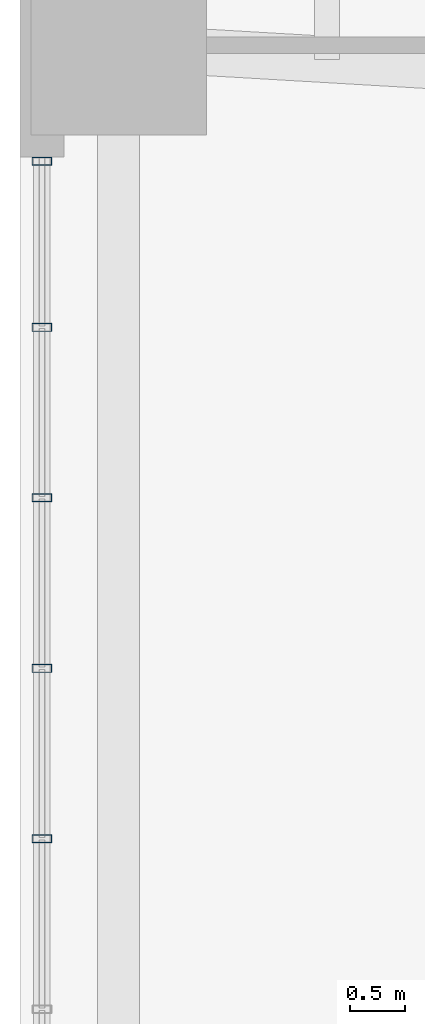
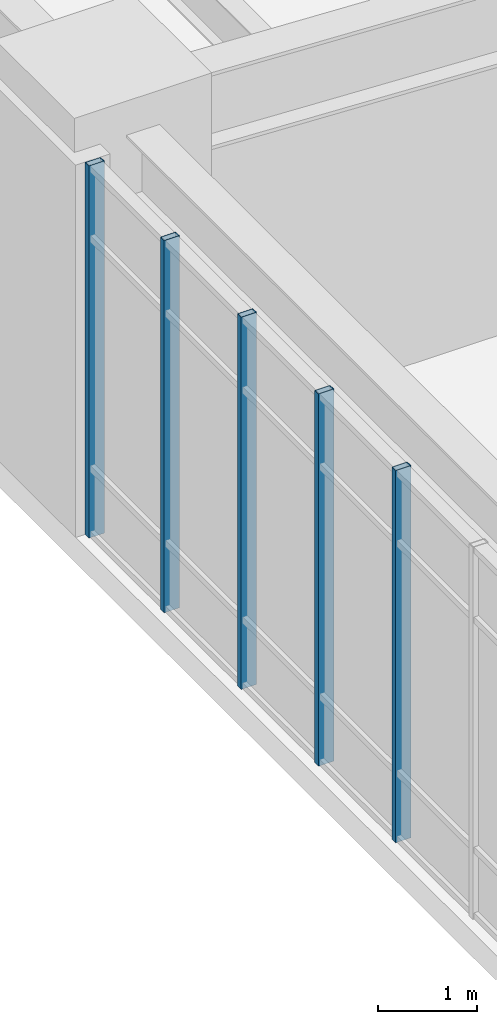
# One storey, part 6 of 18: 5 members, 1 element without a shape of its own.
"""IFC4 building model written with IfcOpenShell, lengths in metres."""

from ifc_helpers import new_model, si_unit, direction, frame, origin, origin_2d, place, context, subcontext, project, spatial, hollow_rectangle, extrude, material, layer, layer_set, material_profile, profile_set, type_object, element, aggregate, save


model = new_model("IFC4")

# Units and contexts
model_context = context("Model", 3, precision=1e-05, world=origin(), true_north=direction((0.0, 1.0)))
body_context = subcontext(model_context, "Body", "Model", "MODEL_VIEW")
ifc_project = project(units=[si_unit("LENGTHUNIT", "METRE"), si_unit("AREAUNIT", "SQUARE_METRE"), si_unit("VOLUMEUNIT", "CUBIC_METRE"), si_unit("PLANEANGLEUNIT", "RADIAN"), si_unit("MASSUNIT", "GRAM", prefix="KILO"), si_unit("THERMODYNAMICTEMPERATUREUNIT", "KELVIN"), si_unit("POWERUNIT", "WATT")], contexts=[model_context])

# Site, building, storey
site_placement = place(None, origin())
site = spatial("IfcSite", under=ifc_project, at=site_placement, CompositionType="ELEMENT")
building_placement = place(site_placement, origin())
building = spatial("IfcBuilding", under=site, at=building_placement, Name="Skarre Station Tower", CompositionType="ELEMENT")
storey_placement = place(building_placement, frame((0.0, 0.0, 16.0)))
storey = spatial("IfcBuildingStorey", under=building, at=storey_placement, Name="L04", CompositionType="ELEMENT", Elevation=16.0)

# Curtain wall, members
ifc_material_1 = material(Name="Thermally Broken Bronze-Anodized Aluminium & Triple Low-E Glass", Category="aluminium")
ifc_layer = layer(ifc_material_1, 0.199951171875, Name="Thermally Broken Bronze-Anodized Aluminium & Triple Low-E Glass")
ifc_layer_set = layer_set([ifc_layer], Name="Thermally Broken Bronze-Anodized Aluminium & Triple Low-E Glass")
curtain_wall_type = type_object("IfcCurtainWallType", Name="Podium Transit Arcade Stick Curtain Wall", PredefinedType="NOTDEFINED", material=ifc_layer_set)
curtain_wall_placement = place(storey_placement, origin())
curtain_wall = element("IfcCurtainWall", 1, at=curtain_wall_placement, inside=storey, type_object=curtain_wall_type, Name="L04 West Atrium Clerestory Curtain Wall", PredefinedType="NOTDEFINED")
ifc_material_2 = material(Name="Anodized Aluminium 6063-T6", Category="aluminium")
ifc_material_profile = material_profile(ifc_material_2, hollow_rectangle(XDim=0.074951171875, YDim=0.179931640625, WallThickness=0.00390625, at=origin_2d()), Name="Anodized Aluminium 6063-T6")
ifc_profile_set = profile_set([ifc_material_profile], Name="Anodized Aluminium 6063-T6")
member_type = type_object("IfcMemberType", Name="Curtain-Wall Unitised Tower Mullion 180x75", PredefinedType="MULLION", material=ifc_profile_set)
member_1_placement = place(storey_placement, frame((0.199951171875, 24.778076171875, 0.0), z_axis=(0.0, 0.0, 1.0), x_axis=(0.0, 1.0, 0.0)))
member_1 = element("IfcMember", 2, at=member_1_placement, type_object=member_type, Name="L04 West Atrium Clerestory Curtain Wall Mullion 6", PredefinedType="MULLION", context=body_context, shape_type="SweptSolid", body=[
    extrude(hollow_rectangle(XDim=0.074951171875, YDim=0.179931640625, WallThickness=0.00390625, at=origin_2d()), origin(), (0.0, 0.0, 1.0), 4.580078125),
])
member_2_placement = place(storey_placement, frame((0.199951171875, 26.3330078125, 0.0), z_axis=(0.0, 0.0, 1.0), x_axis=(0.0, 1.0, 0.0)))
member_2 = element("IfcMember", 3, at=member_2_placement, type_object=member_type, Name="L04 West Atrium Clerestory Curtain Wall Mullion 7", PredefinedType="MULLION", context=body_context, shape_type="SweptSolid", body=[
    extrude(hollow_rectangle(XDim=0.074951171875, YDim=0.179931640625, WallThickness=0.00390625, at=origin_2d()), origin(), (0.0, 0.0, 1.0), 4.580078125),
])
member_3_placement = place(storey_placement, frame((0.199951171875, 27.888916015625, 0.0), z_axis=(0.0, 0.0, 1.0), x_axis=(0.0, 1.0, 0.0)))
member_3 = element("IfcMember", 4, at=member_3_placement, type_object=member_type, Name="L04 West Atrium Clerestory Curtain Wall Mullion 8", PredefinedType="MULLION", context=body_context, shape_type="SweptSolid", body=[
    extrude(hollow_rectangle(XDim=0.074951171875, YDim=0.179931640625, WallThickness=0.00390625, at=origin_2d()), origin(), (0.0, 0.0, 1.0), 4.580078125),
])
member_4_placement = place(storey_placement, frame((0.199951171875, 29.444091796875, 0.0), z_axis=(0.0, 0.0, 1.0), x_axis=(0.0, 1.0, 0.0)))
member_4 = element("IfcMember", 5, at=member_4_placement, type_object=member_type, Name="L04 West Atrium Clerestory Curtain Wall Mullion 9", PredefinedType="MULLION", context=body_context, shape_type="SweptSolid", body=[
    extrude(hollow_rectangle(XDim=0.074951171875, YDim=0.179931640625, WallThickness=0.00390625, at=origin_2d()), origin(), (0.0, 0.0, 1.0), 4.580078125),
])
member_5_placement = place(storey_placement, frame((0.199951171875, 30.9599609375, 0.0), z_axis=(0.0, 0.0, 1.0), x_axis=(0.0, 1.0, 0.0)))
member_5 = element("IfcMember", 6, at=member_5_placement, type_object=member_type, Name="L04 West Atrium Clerestory Curtain Wall Mullion 10", PredefinedType="MULLION", context=body_context, shape_type="SweptSolid", body=[
    extrude(hollow_rectangle(XDim=0.074951171875, YDim=0.179931640625, WallThickness=0.00390625, at=origin_2d()), origin(), (0.0, 0.0, 1.0), 4.580078125),
])
aggregate(curtain_wall, [member_1, member_2, member_3, member_4, member_5])

save(model, "model.ifc")
